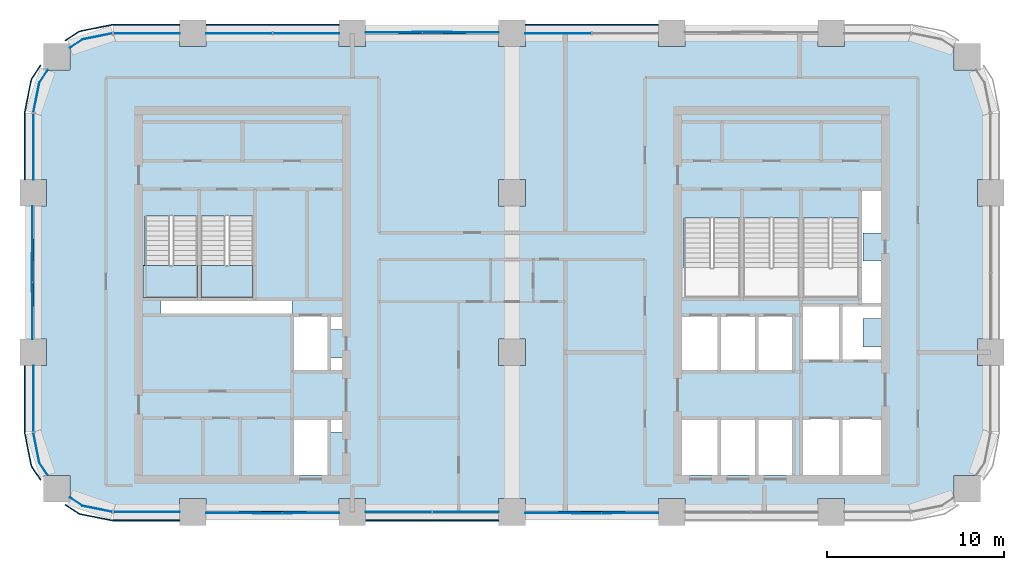
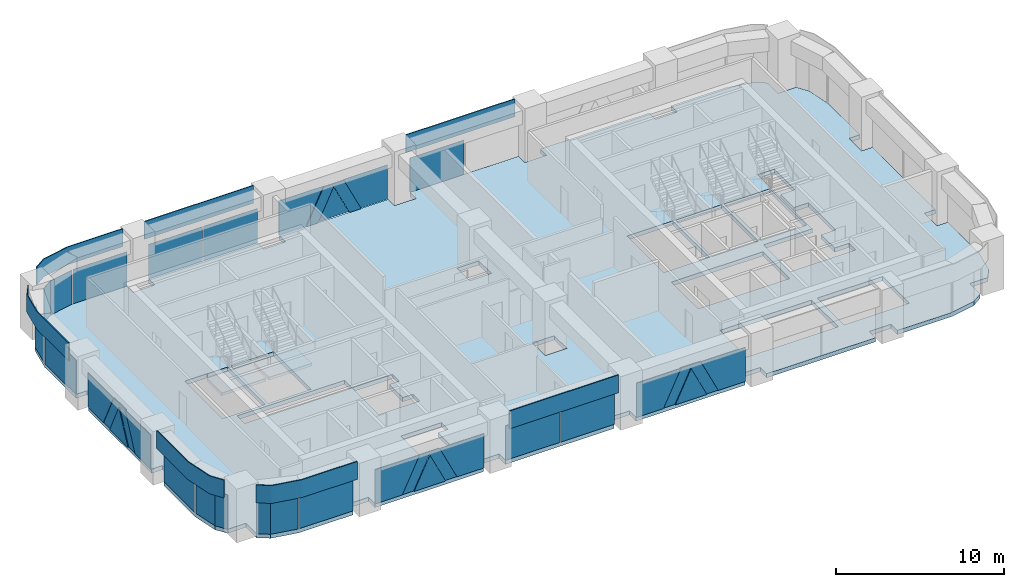
# One storey, part 6 of 18: 36 plates, 3 slabs, 13 elements without a shape of their own.
"""IFC4 building model written with IfcOpenShell, lengths in metres."""

from ifc_helpers import new_model, si_unit, direction, frame, origin, origin_2d, place, context, subcontext, project, spatial, polyline, rectangle, outline, extrude, material, layer, layer_set, type_object, element, aggregate, save


model = new_model("IFC4")

# Units and contexts
model_context = context("Model", 3, precision=1e-05, world=origin(), true_north=direction((0.0, 1.0)))
body_context = subcontext(model_context, "Body", "Model", "MODEL_VIEW")
ifc_project = project(units=[si_unit("LENGTHUNIT", "METRE"), si_unit("AREAUNIT", "SQUARE_METRE"), si_unit("VOLUMEUNIT", "CUBIC_METRE"), si_unit("PLANEANGLEUNIT", "RADIAN"), si_unit("MASSUNIT", "GRAM", prefix="KILO")], contexts=[model_context])

# Site, building, storey
site_placement = place(None, origin())
site = spatial("IfcSite", under=ifc_project, at=site_placement, CompositionType="ELEMENT")
building_placement = place(site_placement, origin())
building = spatial("IfcBuilding", under=site, at=building_placement, Name="Tessera Arch", CompositionType="ELEMENT")
storey_placement = place(building_placement, frame((0.0, 0.0, 154.39990234375)))
storey = spatial("IfcBuildingStorey", under=building, at=storey_placement, Name="L36", CompositionType="ELEMENT", Elevation=154.39990234375)

# Curtain wall, plate
ifc_material_1 = material(Name="CW1 curtain wall")
curtain_wall_type_1 = type_object("IfcCurtainWallType", Name="CW1 curtain wall", PredefinedType="NOTDEFINED", material=ifc_material_1)
curtain_wall_1_placement = place(storey_placement, origin())
curtain_wall_1 = element("IfcCurtainWall", 1, at=curtain_wall_1_placement, inside=storey, type_object=curtain_wall_type_1, Name="CW1 curtain wall N54.0/2 L36", PredefinedType="NOTDEFINED")
ifc_material_2 = material(Name="Clear low-e glass", Category="glass")
ifc_material_3 = material(Name="Clear low-e glass", Category="glass")
ifc_layer_1 = layer(ifc_material_3, 0.028076171875)
ifc_layer_set_1 = layer_set([ifc_layer_1], Name="CW1 glass panel")
plate_type_1 = type_object("IfcPlateType", Name="CW1 glass panel", PredefinedType="CURTAIN_PANEL", material=ifc_layer_set_1)
plate_1_placement = place(storey_placement, frame((29.610107421875, 54.0, 0.0), z_axis=(0.0, 0.0, 1.0), x_axis=(-1.0, 0.0, 0.0)))
plate_1 = element("IfcPlate", 2, at=plate_1_placement, type_object=plate_type_1, material=ifc_material_2, Name="CW1 glass panel N54.0/2 1.2.1", PredefinedType="CURTAIN_PANEL", context=body_context, shape_type="SweptSolid", body=[
    extrude(rectangle(XDim=3.719970703125, YDim=0.028076171875, at=origin_2d()), origin(), (0.0, 0.0, 1.0), 2.5),
])

# Curtain wall, plates
curtain_wall_2_placement = place(storey_placement, origin())
curtain_wall_2 = element("IfcCurtainWall", 3, at=curtain_wall_2_placement, inside=storey, type_object=curtain_wall_type_1, Name="CW1 curtain wall N54.0/4 L36", PredefinedType="NOTDEFINED")
plate_2_placement = place(storey_placement, frame((15.389892578125, 54.0, 0.0), z_axis=(0.0, 0.0, 1.0), x_axis=(-1.0, 0.0, 0.0)))
plate_2 = element("IfcPlate", 4, at=plate_2_placement, type_object=plate_type_1, material=ifc_material_2, Name="CW1 glass panel N54.0/4 1.1.1", PredefinedType="CURTAIN_PANEL", context=body_context, shape_type="SweptSolid", body=[
    extrude(rectangle(XDim=3.719970703125, YDim=0.028076171875, at=origin_2d()), origin(), (0.0, 0.0, 1.0), 2.5),
])
plate_3_placement = place(storey_placement, frame((11.610107421875, 54.0, 0.0), z_axis=(0.0, 0.0, 1.0), x_axis=(-1.0, 0.0, 0.0)))
plate_3 = element("IfcPlate", 5, at=plate_3_placement, type_object=plate_type_1, material=ifc_material_2, Name="CW1 glass panel N54.0/4 1.2.1", PredefinedType="CURTAIN_PANEL", context=body_context, shape_type="SweptSolid", body=[
    extrude(rectangle(XDim=3.719970703125, YDim=0.028076171875, at=origin_2d()), origin(), (0.0, 0.0, 1.0), 2.5),
])

curtain_wall_3_placement = place(storey_placement, origin())
curtain_wall_3 = element("IfcCurtainWall", 6, at=curtain_wall_3_placement, inside=storey, type_object=curtain_wall_type_1, Name="CW1 curtain wall S27.0/2 L36", PredefinedType="NOTDEFINED")
plate_4_placement = place(storey_placement, frame((20.610107421875, 27.0, 0.0), z_axis=(0.0, 0.0, 1.0), x_axis=(1.0, 0.0, 0.0)))
plate_4 = element("IfcPlate", 7, at=plate_4_placement, type_object=plate_type_1, material=ifc_material_2, Name="CW1 glass panel S27.0/2 1.1.1", PredefinedType="CURTAIN_PANEL", context=body_context, shape_type="SweptSolid", body=[
    extrude(rectangle(XDim=3.719970703125, YDim=0.028076171875, at=origin_2d()), origin(), (0.0, 0.0, 1.0), 2.5),
])
plate_5_placement = place(storey_placement, frame((24.389892578125, 27.0, 0.0), z_axis=(0.0, 0.0, 1.0), x_axis=(1.0, 0.0, 0.0)))
plate_5 = element("IfcPlate", 8, at=plate_5_placement, type_object=plate_type_1, material=ifc_material_2, Name="CW1 glass panel S27.0/2 1.2.1", PredefinedType="CURTAIN_PANEL", context=body_context, shape_type="SweptSolid", body=[
    extrude(rectangle(XDim=3.719970703125, YDim=0.028076171875, at=origin_2d()), origin(), (0.0, 0.0, 1.0), 2.5),
])

# Plate
ifc_material_4 = material(Name="Pale anodised aluminium panel", Category="aluminium")
ifc_layer_2 = layer(ifc_material_4, 0.06005859375)
ifc_layer_set_2 = layer_set([ifc_layer_2], Name="CW1 spandrel panel")
plate_type_2 = type_object("IfcPlateType", Name="CW1 spandrel panel", PredefinedType="CURTAIN_PANEL", material=ifc_layer_set_2)
plate_6_placement = place(storey_placement, frame((31.5, 54.47998046875, 2.60009765625), z_axis=(0.0, 0.0, 1.0), x_axis=(-1.0, 0.0, 0.0)))
plate_6 = element("IfcPlate", 9, at=plate_6_placement, type_object=plate_type_2, Name="CW1 spandrel panel N54.0/2", PredefinedType="CURTAIN_PANEL", context=body_context, shape_type="SweptSolid", body=[
    extrude(rectangle(XDim=7.5, YDim=0.06005859375, at=origin_2d()), origin(), (0.0, 0.0, 1.0), 1.300048828125),
])

aggregate(curtain_wall_1, [plate_1, plate_6])

plate_7_placement = place(storey_placement, frame((13.5, 54.47998046875, 2.60009765625), z_axis=(0.0, 0.0, 1.0), x_axis=(-1.0, 0.0, 0.0)))
plate_7 = element("IfcPlate", 10, at=plate_7_placement, type_object=plate_type_2, Name="CW1 spandrel panel N54.0/4", PredefinedType="CURTAIN_PANEL", context=body_context, shape_type="SweptSolid", body=[
    extrude(rectangle(XDim=7.5, YDim=0.06005859375, at=origin_2d()), origin(), (0.0, 0.0, 1.0), 1.300048828125),
])

aggregate(curtain_wall_2, [plate_2, plate_3, plate_7])

plate_8_placement = place(storey_placement, frame((22.5, 26.52001953125, 2.60009765625), z_axis=(0.0, 0.0, 1.0), x_axis=(1.0, 0.0, 0.0)))
plate_8 = element("IfcPlate", 11, at=plate_8_placement, type_object=plate_type_2, Name="CW1 spandrel panel S27.0/2", PredefinedType="CURTAIN_PANEL", context=body_context, shape_type="SweptSolid", body=[
    extrude(rectangle(XDim=7.5, YDim=0.06005859375, at=origin_2d()), origin(), (0.0, 0.0, 1.0), 1.300048828125),
])

aggregate(curtain_wall_3, [plate_4, plate_5, plate_8])

# Curtain wall, plates
ifc_material_5 = material(Name="CW2 curtain wall")
curtain_wall_type_2 = type_object("IfcCurtainWallType", Name="CW2 curtain wall", PredefinedType="NOTDEFINED", material=ifc_material_5)
curtain_wall_4_placement = place(storey_placement, origin())
curtain_wall_4 = element("IfcCurtainWall", 12, at=curtain_wall_4_placement, inside=storey, type_object=curtain_wall_type_2, Name="CW2 curtain wall N54.0/5 L36", PredefinedType="NOTDEFINED")
ifc_material_6 = material(Name="Clear low-e glass", Category="glass")
ifc_layer_3 = layer(ifc_material_6, 0.028076171875)
ifc_layer_set_3 = layer_set([ifc_layer_3], Name="CW2 glass panel")
plate_type_3 = type_object("IfcPlateType", Name="CW2 glass panel", PredefinedType="CURTAIN_PANEL", material=ifc_layer_set_3)
plate_9_placement = place(storey_placement, frame((6.39501953125, 54.0, 0.0), z_axis=(0.0, 0.0, 1.0), x_axis=(-1.0, 0.0, 0.0)))
plate_9 = element("IfcPlate", 13, at=plate_9_placement, type_object=plate_type_3, material=ifc_material_2, Name="CW2 glass panel N54.0/5 1.1", PredefinedType="CURTAIN_PANEL", context=body_context, shape_type="SweptSolid", body=[
    extrude(rectangle(XDim=3.7099609375, YDim=0.028076171875, at=origin_2d()), origin(), (0.0, 0.0, 1.0), 2.5),
])
plate_10_placement = place(storey_placement, origin())
plate_10 = element("IfcPlate", 14, at=plate_10_placement, type_object=plate_type_3, material=ifc_material_2, Name="CW2 curved glass panel N54.0/5 2.1", PredefinedType="CURTAIN_PANEL", context=body_context, shape_type="SweptSolid", body=[
    extrude(outline(polyline([(2.783447265625, 53.644287109375), (4.46337890625, 53.978515625), (4.4580078125, 54.005859375), (2.7724609375, 53.670654296875), (2.060302734375, 53.19482421875), (2.07568359375, 53.17138671875), (2.783447265625, 53.644287109375)])), origin(), (0.0, 0.0, 1.0), 2.5),
])

curtain_wall_5_placement = place(storey_placement, origin())
curtain_wall_5 = element("IfcCurtainWall", 15, at=curtain_wall_5_placement, inside=storey, type_object=curtain_wall_type_2, Name="CW2 curtain wall W0.27/0 L36", PredefinedType="NOTDEFINED")
plate_11_placement = place(storey_placement, frame((0.0, 47.60498046875, 0.0), z_axis=(0.0, 0.0, 1.0), x_axis=(0.0, -1.0, 0.0)))
plate_11 = element("IfcPlate", 16, at=plate_11_placement, type_object=plate_type_3, material=ifc_material_2, Name="CW2 glass panel W0.27/0 1.1", PredefinedType="CURTAIN_PANEL", context=body_context, shape_type="SweptSolid", body=[
    extrude(rectangle(XDim=3.7099609375, YDim=0.028076171875, at=origin_2d()), origin(), (0.0, 0.0, 1.0), 2.5),
])
plate_12_placement = place(storey_placement, origin())
plate_12 = element("IfcPlate", 17, at=plate_12_placement, type_object=plate_type_3, material=ifc_material_2, Name="CW2 curved glass panel W0.27/0 2.1", PredefinedType="CURTAIN_PANEL", context=body_context, shape_type="SweptSolid", body=[
    extrude(outline(polyline([(0.355712890625, 51.216552734375), (0.82861328125, 51.92431640625), (0.80517578125, 51.939697265625), (0.329345703125, 51.2275390625), (-0.005859375, 49.5419921875), (0.021484375, 49.53662109375), (0.355712890625, 51.216552734375)])), origin(), (0.0, 0.0, 1.0), 2.5),
])

curtain_wall_6_placement = place(storey_placement, origin())
curtain_wall_6 = element("IfcCurtainWall", 18, at=curtain_wall_6_placement, inside=storey, type_object=curtain_wall_type_2, Name="CW2 curtain wall W0.27/2 L36", PredefinedType="NOTDEFINED")
plate_13_placement = place(storey_placement, frame((0.0, 33.39501953125, 0.0), z_axis=(0.0, 0.0, 1.0), x_axis=(0.0, -1.0, 0.0)))
plate_13 = element("IfcPlate", 19, at=plate_13_placement, type_object=plate_type_3, material=ifc_material_2, Name="CW2 glass panel W0.27/2 1.1", PredefinedType="CURTAIN_PANEL", context=body_context, shape_type="SweptSolid", body=[
    extrude(rectangle(XDim=3.7099609375, YDim=0.028076171875, at=origin_2d()), origin(), (0.0, 0.0, 1.0), 2.5),
])
plate_14_placement = place(storey_placement, origin())
plate_14 = element("IfcPlate", 20, at=plate_14_placement, type_object=plate_type_3, material=ifc_material_2, Name="CW2 curved glass panel W0.27/2 2.1", PredefinedType="CURTAIN_PANEL", context=body_context, shape_type="SweptSolid", body=[
    extrude(outline(polyline([(0.355712890625, 29.783447265625), (0.021484375, 31.46337890625), (-0.005859375, 31.4580078125), (0.329345703125, 29.7724609375), (0.80517578125, 29.060302734375), (0.82861328125, 29.07568359375), (0.355712890625, 29.783447265625)])), origin(), (0.0, 0.0, 1.0), 2.5),
])

curtain_wall_7_placement = place(storey_placement, origin())
curtain_wall_7 = element("IfcCurtainWall", 21, at=curtain_wall_7_placement, inside=storey, type_object=curtain_wall_type_2, Name="CW2 curtain wall S27.0/0 L36", PredefinedType="NOTDEFINED")
plate_15_placement = place(storey_placement, frame((6.39501953125, 27.0, 0.0), z_axis=(0.0, 0.0, 1.0), x_axis=(1.0, 0.0, 0.0)))
plate_15 = element("IfcPlate", 22, at=plate_15_placement, type_object=plate_type_3, material=ifc_material_2, Name="CW2 glass panel S27.0/0 1.1", PredefinedType="CURTAIN_PANEL", context=body_context, shape_type="SweptSolid", body=[
    extrude(rectangle(XDim=3.7099609375, YDim=0.028076171875, at=origin_2d()), origin(), (0.0, 0.0, 1.0), 2.5),
])
plate_16_placement = place(storey_placement, origin())
plate_16 = element("IfcPlate", 23, at=plate_16_placement, type_object=plate_type_3, material=ifc_material_2, Name="CW2 curved glass panel S27.0/0 2.1", PredefinedType="CURTAIN_PANEL", context=body_context, shape_type="SweptSolid", body=[
    extrude(outline(polyline([(2.783447265625, 27.355712890625), (2.07568359375, 27.82861328125), (2.060302734375, 27.80517578125), (2.7724609375, 27.329345703125), (4.4580078125, 26.994140625), (4.46337890625, 27.021484375), (2.783447265625, 27.355712890625)])), origin(), (0.0, 0.0, 1.0), 2.5),
])

# Plate
ifc_material_7 = material(Name="Pale anodised aluminium panel", Category="aluminium")
ifc_layer_4 = layer(ifc_material_7, 0.06005859375)
ifc_layer_set_4 = layer_set([ifc_layer_4], Name="CW2 spandrel panel")
plate_type_4 = type_object("IfcPlateType", Name="CW2 spandrel panel", PredefinedType="CURTAIN_PANEL", material=ifc_layer_set_4)
plate_17_placement = place(storey_placement, frame((0.0, 0.0, 2.60009765625)))
plate_17 = element("IfcPlate", 24, at=plate_17_placement, type_object=plate_type_4, Name="CW2 spandrel panel N54.0/5", PredefinedType="CURTAIN_PANEL", context=body_context, shape_type="SweptSolid", body=[
    extrude(outline(polyline([(4.500732421875, 54.449951171875), (8.25, 54.449951171875), (8.25, 54.510009765625), (4.499267578125, 54.510009765625), (4.449951171875, 54.507568359375), (4.401123046875, 54.500244140625), (2.677734375, 54.157470703125), (2.6298828125, 54.1455078125), (2.582763671875, 54.128662109375), (2.537353515625, 54.107421875), (2.4951171875, 54.08203125), (1.78466796875, 53.607177734375), (1.81787109375, 53.55712890625), (2.52734375, 54.03125), (2.565673828125, 54.054443359375), (2.605712890625, 54.0732421875), (2.647216796875, 54.088134765625), (2.69091796875, 54.09912109375), (4.411376953125, 54.441162109375), (4.455810546875, 54.44775390625), (4.500732421875, 54.449951171875)])), origin(), (0.0, 0.0, 1.0), 1.300048828125),
])

aggregate(curtain_wall_4, [plate_9, plate_10, plate_17])

plate_18_placement = place(storey_placement, frame((0.0, 0.0, 2.60009765625)))
plate_18 = element("IfcPlate", 25, at=plate_18_placement, type_object=plate_type_4, Name="CW2 spandrel panel W0.27/0", PredefinedType="CURTAIN_PANEL", context=body_context, shape_type="SweptSolid", body=[
    extrude(outline(polyline([(-0.03125, 51.47265625), (0.44287109375, 52.18212890625), (0.392822265625, 52.21533203125), (-0.08203125, 51.5048828125), (-0.107421875, 51.462646484375), (-0.128662109375, 51.417236328125), (-0.1455078125, 51.3701171875), (-0.157470703125, 51.322265625), (-0.500244140625, 49.598876953125), (-0.507568359375, 49.550048828125), (-0.510009765625, 49.500732421875), (-0.510009765625, 45.75), (-0.449951171875, 45.75), (-0.449951171875, 49.499267578125), (-0.44775390625, 49.544189453125), (-0.441162109375, 49.588623046875), (-0.09912109375, 51.30908203125), (-0.088134765625, 51.352783203125), (-0.0732421875, 51.394287109375), (-0.054443359375, 51.434326171875), (-0.03125, 51.47265625)])), origin(), (0.0, 0.0, 1.0), 1.300048828125),
])

aggregate(curtain_wall_5, [plate_11, plate_12, plate_18])

plate_19_placement = place(storey_placement, frame((0.0, 0.0, 2.60009765625)))
plate_19 = element("IfcPlate", 26, at=plate_19_placement, type_object=plate_type_4, Name="CW2 spandrel panel W0.27/2", PredefinedType="CURTAIN_PANEL", context=body_context, shape_type="SweptSolid", body=[
    extrude(outline(polyline([(-0.449951171875, 31.500732421875), (-0.449951171875, 35.25), (-0.510009765625, 35.25), (-0.510009765625, 31.499267578125), (-0.507568359375, 31.449951171875), (-0.500244140625, 31.401123046875), (-0.157470703125, 29.677734375), (-0.1455078125, 29.6298828125), (-0.128662109375, 29.582763671875), (-0.107421875, 29.537353515625), (-0.08203125, 29.4951171875), (0.392822265625, 28.78466796875), (0.44287109375, 28.81787109375), (-0.03125, 29.52734375), (-0.054443359375, 29.565673828125), (-0.0732421875, 29.605712890625), (-0.088134765625, 29.647216796875), (-0.09912109375, 29.69091796875), (-0.441162109375, 31.411376953125), (-0.44775390625, 31.455810546875), (-0.449951171875, 31.500732421875)])), origin(), (0.0, 0.0, 1.0), 1.300048828125),
])

aggregate(curtain_wall_6, [plate_13, plate_14, plate_19])

plate_20_placement = place(storey_placement, frame((0.0, 0.0, 2.60009765625)))
plate_20 = element("IfcPlate", 27, at=plate_20_placement, type_object=plate_type_4, Name="CW2 spandrel panel S27.0/0", PredefinedType="CURTAIN_PANEL", context=body_context, shape_type="SweptSolid", body=[
    extrude(outline(polyline([(2.52734375, 26.96875), (1.81787109375, 27.44287109375), (1.78466796875, 27.392822265625), (2.4951171875, 26.91796875), (2.537353515625, 26.892578125), (2.582763671875, 26.871337890625), (2.6298828125, 26.8544921875), (2.677734375, 26.842529296875), (4.401123046875, 26.499755859375), (4.449951171875, 26.492431640625), (4.499267578125, 26.489990234375), (8.25, 26.489990234375), (8.25, 26.550048828125), (4.500732421875, 26.550048828125), (4.455810546875, 26.55224609375), (4.411376953125, 26.558837890625), (2.69091796875, 26.90087890625), (2.647216796875, 26.911865234375), (2.605712890625, 26.9267578125), (2.565673828125, 26.945556640625), (2.52734375, 26.96875)])), origin(), (0.0, 0.0, 1.0), 1.300048828125),
])

aggregate(curtain_wall_7, [plate_15, plate_16, plate_20])

# Curtain wall, plate
ifc_material_8 = material(Name="CW3 curtain wall")
curtain_wall_type_3 = type_object("IfcCurtainWallType", Name="CW3 curtain wall", PredefinedType="NOTDEFINED", material=ifc_material_8)
curtain_wall_8_placement = place(storey_placement, origin())
curtain_wall_8 = element("IfcCurtainWall", 28, at=curtain_wall_8_placement, inside=storey, type_object=curtain_wall_type_3, Name="CW3 curtain wall N54.0/3 L36", PredefinedType="NOTDEFINED")
ifc_material_9 = material(Name="Pale anodised aluminium panel", Category="aluminium")
ifc_layer_5 = layer(ifc_material_9, 0.06005859375)
ifc_layer_set_5 = layer_set([ifc_layer_5], Name="CW3 diagonal panel")
plate_type_5 = type_object("IfcPlateType", Name="CW3 diagonal panel", PredefinedType="CURTAIN_PANEL", material=ifc_layer_set_5)
plate_21_placement = place(storey_placement, frame((21.811279296875, 54.030029296875, 2.5), z_axis=(0.0, 1.0, 0.0), x_axis=(1.0, 0.0, 0.0)))
plate_21 = element("IfcPlate", 29, at=plate_21_placement, type_object=plate_type_5, Name="CW3 diagonal panel N54.0/3 1", PredefinedType="CURTAIN_PANEL", context=body_context, shape_type="SweptSolid", body=[
    extrude(outline(polyline([(0.0, 0.0), (1.37744140625, 0.0), (2.579345703125, 2.5), (1.77880859375, 2.5), (0.688720703125, 0.232421875), (-0.4013671875, 2.5), (-1.201904296875, 2.5), (0.0, 0.0)])), origin(), (0.0, 0.0, -1.0), 0.06005859375),
])

curtain_wall_9_placement = place(storey_placement, origin())
curtain_wall_9 = element("IfcCurtainWall", 30, at=curtain_wall_9_placement, inside=storey, type_object=curtain_wall_type_3, Name="CW3 curtain wall W0.27/1 L36", PredefinedType="NOTDEFINED")
plate_22_placement = place(storey_placement, frame((-0.030029296875, 39.811279296875, 2.5), z_axis=(-1.0, 0.0, 0.0), x_axis=(0.0, 1.0, 0.0)))
plate_22 = element("IfcPlate", 31, at=plate_22_placement, type_object=plate_type_5, Name="CW3 diagonal panel W0.27/1 1", PredefinedType="CURTAIN_PANEL", context=body_context, shape_type="SweptSolid", body=[
    extrude(outline(polyline([(0.0, 0.0), (1.37744140625, 0.0), (2.579345703125, 2.5), (1.77880859375, 2.5), (0.688720703125, 0.232421875), (-0.4013671875, 2.5), (-1.201904296875, 2.5), (0.0, 0.0)])), origin(), (0.0, 0.0, -1.0), 0.06005859375),
])

curtain_wall_10_placement = place(storey_placement, origin())
curtain_wall_10 = element("IfcCurtainWall", 32, at=curtain_wall_10_placement, inside=storey, type_object=curtain_wall_type_3, Name="CW3 curtain wall S27.0/1 L36", PredefinedType="NOTDEFINED")
plate_23_placement = place(storey_placement, frame((14.188720703125, 26.969970703125, 2.5), z_axis=(0.0, -1.0, 0.0), x_axis=(-1.0, 0.0, 0.0)))
plate_23 = element("IfcPlate", 33, at=plate_23_placement, type_object=plate_type_5, Name="CW3 diagonal panel S27.0/1 1", PredefinedType="CURTAIN_PANEL", context=body_context, shape_type="SweptSolid", body=[
    extrude(outline(polyline([(0.0, 0.0), (1.37744140625, 0.0), (2.579345703125, 2.5), (1.77880859375, 2.5), (0.688720703125, 0.232421875), (-0.4013671875, 2.5), (-1.201904296875, 2.5), (0.0, 0.0)])), origin(), (0.0, 0.0, -1.0), 0.06005859375),
])

curtain_wall_11_placement = place(storey_placement, origin())
curtain_wall_11 = element("IfcCurtainWall", 34, at=curtain_wall_11_placement, inside=storey, type_object=curtain_wall_type_3, Name="CW3 curtain wall S27.0/3 L36", PredefinedType="NOTDEFINED")
plate_24_placement = place(storey_placement, frame((32.188720703125, 26.969970703125, 2.5), z_axis=(0.0, -1.0, 0.0), x_axis=(-1.0, 0.0, 0.0)))
plate_24 = element("IfcPlate", 35, at=plate_24_placement, type_object=plate_type_5, Name="CW3 diagonal panel S27.0/3 1", PredefinedType="CURTAIN_PANEL", context=body_context, shape_type="SweptSolid", body=[
    extrude(outline(polyline([(0.0, 0.0), (1.37744140625, 0.0), (2.579345703125, 2.5), (1.77880859375, 2.5), (0.688720703125, 0.232421875), (-0.4013671875, 2.5), (-1.201904296875, 2.5), (0.0, 0.0)])), origin(), (0.0, 0.0, -1.0), 0.06005859375),
])

# Plate
ifc_material_10 = material(Name="Clear low-e glass", Category="glass")
ifc_layer_6 = layer(ifc_material_10, 0.028076171875)
ifc_layer_set_6 = layer_set([ifc_layer_6], Name="CW3 glass panel")
plate_type_6 = type_object("IfcPlateType", Name="CW3 glass panel", PredefinedType="CURTAIN_PANEL", material=ifc_layer_set_6)
plate_25_placement = place(storey_placement, frame((26.25, 54.05810546875, 0.0), z_axis=(0.0, 1.0, 0.0), x_axis=(-1.0, 0.0, 0.0)))
plate_25 = element("IfcPlate", 36, at=plate_25_placement, type_object=plate_type_6, material=ifc_material_2, Name="CW3 triangulated glass panel N54.0/3 1", PredefinedType="CURTAIN_PANEL", context=body_context, shape_type="SweptSolid", body=[
    extrude(outline(polyline([(0.0, 0.0), (1.859375, 0.0), (3.061279296875, 2.5), (0.0, 2.5), (0.0, 0.0)])), origin(), (0.0, 0.0, -1.0), 0.028076171875),
])

plate_26_placement = place(storey_placement, frame((23.590087890625, 54.0859375, 0.0), z_axis=(0.0, 1.0, 0.0), x_axis=(-1.0, 0.0, 0.0)))
plate_26 = element("IfcPlate", 37, at=plate_26_placement, type_object=plate_type_6, material=ifc_material_2, Name="CW3 triangulated glass panel N54.0/3 2", PredefinedType="CURTAIN_PANEL", context=body_context, shape_type="SweptSolid", body=[
    extrude(outline(polyline([(0.0, 0.0), (2.18017578125, 0.0), (1.090087890625, 2.267578125), (0.0, 0.0)])), origin(), (0.0, 0.0, -1.0), 0.028076171875),
])

plate_27_placement = place(storey_placement, frame((18.75, 54.05810546875, 2.5), z_axis=(0.0, 1.0, 0.0), x_axis=(1.0, 0.0, 0.0)))
plate_27 = element("IfcPlate", 38, at=plate_27_placement, type_object=plate_type_6, material=ifc_material_2, Name="CW3 triangulated glass panel N54.0/3 3", PredefinedType="CURTAIN_PANEL", context=body_context, shape_type="SweptSolid", body=[
    extrude(outline(polyline([(0.0, 0.0), (3.061279296875, 0.0), (1.859375, 2.5), (0.0, 2.5), (0.0, 0.0)])), origin(), (0.0, 0.0, -1.0), 0.028076171875),
])

aggregate(curtain_wall_8, [plate_25, plate_26, plate_27, plate_21])

plate_28_placement = place(storey_placement, frame((-0.05810546875, 44.25, 0.0), z_axis=(-1.0, 0.0, 0.0), x_axis=(0.0, -1.0, 0.0)))
plate_28 = element("IfcPlate", 39, at=plate_28_placement, type_object=plate_type_6, material=ifc_material_2, Name="CW3 triangulated glass panel W0.27/1 1", PredefinedType="CURTAIN_PANEL", context=body_context, shape_type="SweptSolid", body=[
    extrude(outline(polyline([(0.0, 0.0), (1.859375, 0.0), (3.061279296875, 2.5), (0.0, 2.5), (0.0, 0.0)])), origin(), (0.0, 0.0, -1.0), 0.028076171875),
])

plate_29_placement = place(storey_placement, frame((-0.0859375, 41.590087890625, 0.0), z_axis=(-1.0, 0.0, 0.0), x_axis=(0.0, -1.0, 0.0)))
plate_29 = element("IfcPlate", 40, at=plate_29_placement, type_object=plate_type_6, material=ifc_material_2, Name="CW3 triangulated glass panel W0.27/1 2", PredefinedType="CURTAIN_PANEL", context=body_context, shape_type="SweptSolid", body=[
    extrude(outline(polyline([(0.0, 0.0), (2.18017578125, 0.0), (1.090087890625, 2.267578125), (0.0, 0.0)])), origin(), (0.0, 0.0, -1.0), 0.028076171875),
])

plate_30_placement = place(storey_placement, frame((-0.05810546875, 36.75, 2.5), z_axis=(-1.0, 0.0, 0.0), x_axis=(0.0, 1.0, 0.0)))
plate_30 = element("IfcPlate", 41, at=plate_30_placement, type_object=plate_type_6, material=ifc_material_2, Name="CW3 triangulated glass panel W0.27/1 3", PredefinedType="CURTAIN_PANEL", context=body_context, shape_type="SweptSolid", body=[
    extrude(outline(polyline([(0.0, 0.0), (3.061279296875, 0.0), (1.859375, 2.5), (0.0, 2.5), (0.0, 0.0)])), origin(), (0.0, 0.0, -1.0), 0.028076171875),
])

aggregate(curtain_wall_9, [plate_28, plate_29, plate_30, plate_22])

plate_31_placement = place(storey_placement, frame((9.75, 26.94189453125, 0.0), z_axis=(0.0, -1.0, 0.0), x_axis=(1.0, 0.0, 0.0)))
plate_31 = element("IfcPlate", 42, at=plate_31_placement, type_object=plate_type_6, material=ifc_material_2, Name="CW3 triangulated glass panel S27.0/1 1", PredefinedType="CURTAIN_PANEL", context=body_context, shape_type="SweptSolid", body=[
    extrude(outline(polyline([(0.0, 0.0), (1.859375, 0.0), (3.061279296875, 2.5), (0.0, 2.5), (0.0, 0.0)])), origin(), (0.0, 0.0, -1.0), 0.028076171875),
])

plate_32_placement = place(storey_placement, frame((12.409912109375, 26.9140625, 0.0), z_axis=(0.0, -1.0, 0.0), x_axis=(1.0, 0.0, 0.0)))
plate_32 = element("IfcPlate", 43, at=plate_32_placement, type_object=plate_type_6, material=ifc_material_2, Name="CW3 triangulated glass panel S27.0/1 2", PredefinedType="CURTAIN_PANEL", context=body_context, shape_type="SweptSolid", body=[
    extrude(outline(polyline([(0.0, 0.0), (2.18017578125, 0.0), (1.090087890625, 2.267578125), (0.0, 0.0)])), origin(), (0.0, 0.0, -1.0), 0.028076171875),
])

plate_33_placement = place(storey_placement, frame((17.25, 26.94189453125, 2.5), z_axis=(0.0, -1.0, 0.0), x_axis=(-1.0, 0.0, 0.0)))
plate_33 = element("IfcPlate", 44, at=plate_33_placement, type_object=plate_type_6, material=ifc_material_2, Name="CW3 triangulated glass panel S27.0/1 3", PredefinedType="CURTAIN_PANEL", context=body_context, shape_type="SweptSolid", body=[
    extrude(outline(polyline([(0.0, 0.0), (3.061279296875, 0.0), (1.859375, 2.5), (0.0, 2.5), (0.0, 0.0)])), origin(), (0.0, 0.0, -1.0), 0.028076171875),
])

aggregate(curtain_wall_10, [plate_31, plate_32, plate_33, plate_23])

plate_34_placement = place(storey_placement, frame((27.75, 26.94189453125, 0.0), z_axis=(0.0, -1.0, 0.0), x_axis=(1.0, 0.0, 0.0)))
plate_34 = element("IfcPlate", 45, at=plate_34_placement, type_object=plate_type_6, material=ifc_material_2, Name="CW3 triangulated glass panel S27.0/3 1", PredefinedType="CURTAIN_PANEL", context=body_context, shape_type="SweptSolid", body=[
    extrude(outline(polyline([(0.0, 0.0), (1.859375, 0.0), (3.061279296875, 2.5), (0.0, 2.5), (0.0, 0.0)])), origin(), (0.0, 0.0, -1.0), 0.028076171875),
])

plate_35_placement = place(storey_placement, frame((30.409912109375, 26.9140625, 0.0), z_axis=(0.0, -1.0, 0.0), x_axis=(1.0, 0.0, 0.0)))
plate_35 = element("IfcPlate", 46, at=plate_35_placement, type_object=plate_type_6, material=ifc_material_2, Name="CW3 triangulated glass panel S27.0/3 2", PredefinedType="CURTAIN_PANEL", context=body_context, shape_type="SweptSolid", body=[
    extrude(outline(polyline([(0.0, 0.0), (2.18017578125, 0.0), (1.090087890625, 2.267578125), (0.0, 0.0)])), origin(), (0.0, 0.0, -1.0), 0.028076171875),
])

plate_36_placement = place(storey_placement, frame((35.25, 26.94189453125, 2.5), z_axis=(0.0, -1.0, 0.0), x_axis=(-1.0, 0.0, 0.0)))
plate_36 = element("IfcPlate", 47, at=plate_36_placement, type_object=plate_type_6, material=ifc_material_2, Name="CW3 triangulated glass panel S27.0/3 3", PredefinedType="CURTAIN_PANEL", context=body_context, shape_type="SweptSolid", body=[
    extrude(outline(polyline([(0.0, 0.0), (3.061279296875, 0.0), (1.859375, 2.5), (0.0, 2.5), (0.0, 0.0)])), origin(), (0.0, 0.0, -1.0), 0.028076171875),
])

aggregate(curtain_wall_11, [plate_34, plate_35, plate_36, plate_24])

# Slab
ifc_material_11 = material(Name="Concrete C40/50", Category="concrete")
ifc_layer_7 = layer(ifc_material_11, 0.300048828125)
ifc_layer_set_7 = layer_set([ifc_layer_7], Name="Floor slab 300 Concrete C40/50")
slab_type_1 = type_object("IfcSlabType", Name="Floor slab 300 Concrete C40/50", PredefinedType="FLOOR", material=ifc_layer_set_7)
slab_1_placement = place(storey_placement, frame((0.0, 0.0, -0.2998046875)))
element("IfcSlab", 48, at=slab_1_placement, inside=storey, type_object=slab_type_1, Name="Floor slab L36 1", PredefinedType="FLOOR", context=body_context, shape_type="SweptSolid", body=[
    extrude(outline(polyline([(54.0, 31.5), (53.657470703125, 29.77783203125), (53.18310546875, 29.068115234375), (51.931884765625, 29.068115234375), (51.931884765625, 27.81689453125), (51.22216796875, 27.342529296875), (49.5, 27.0), (45.75, 27.0), (45.75, 27.75), (44.25, 27.75), (44.25, 27.0), (36.75, 27.0), (36.75, 27.75), (35.25, 27.75), (35.25, 27.0), (27.75, 27.0), (27.75, 27.75), (26.25, 27.75), (26.25, 27.0), (18.75, 27.0), (18.75, 27.75), (17.25, 27.75), (17.25, 27.0), (9.75, 27.0), (9.75, 27.75), (8.25, 27.75), (8.25, 27.0), (4.5, 27.0), (2.77783203125, 27.342529296875), (2.068115234375, 27.81689453125), (2.068115234375, 29.068115234375), (0.81689453125, 29.068115234375), (0.342529296875, 29.77783203125), (0.0, 31.5), (0.0, 35.25), (0.75, 35.25), (0.75, 36.75), (0.0, 36.75), (0.0, 44.25), (0.75, 44.25), (0.75, 45.75), (0.0, 45.75), (0.0, 49.5), (0.342529296875, 51.22216796875), (0.81689453125, 51.931884765625), (2.068115234375, 51.931884765625), (2.068115234375, 53.18310546875), (2.77783203125, 53.657470703125), (4.5, 54.0), (8.25, 54.0), (8.25, 53.25), (9.75, 53.25), (9.75, 54.0), (17.25, 54.0), (17.25, 53.25), (18.75, 53.25), (18.75, 54.0), (26.25, 54.0), (26.25, 53.25), (27.75, 53.25), (27.75, 54.0), (35.25, 54.0), (35.25, 53.25), (36.75, 53.25), (36.75, 54.0), (44.25, 54.0), (44.25, 53.25), (45.75, 53.25), (45.75, 54.0), (49.5, 54.0), (51.22216796875, 53.657470703125), (51.931884765625, 53.18310546875), (51.931884765625, 51.931884765625), (53.18310546875, 51.931884765625), (53.657470703125, 51.22216796875), (54.0, 49.5), (54.0, 45.75), (53.25, 45.75), (53.25, 44.25), (54.0, 44.25), (54.0, 36.75), (53.25, 36.75), (53.25, 35.25), (54.0, 35.25), (54.0, 31.5)]), holes=[polyline([(14.60009765625, 29.10009765625), (16.699951171875, 29.10009765625), (16.699951171875, 31.5), (17.39990234375, 31.5), (17.39990234375, 32.300048828125), (16.699951171875, 32.300048828125), (14.60009765625, 32.300048828125), (14.60009765625, 29.10009765625)]), polyline([(26.25, 36.75), (26.25, 35.25), (27.75, 35.25), (27.75, 36.75), (26.25, 36.75)]), polyline([(17.39990234375, 37.300048828125), (17.39990234375, 38.10009765625), (16.699951171875, 38.10009765625), (14.60498046875, 38.10009765625), (14.60498046875, 38.10498046875), (14.60009765625, 38.10498046875), (14.60009765625, 39.0), (7.199951171875, 39.0), (7.199951171875, 38.10009765625), (14.594970703125, 38.10009765625), (14.594970703125, 38.094970703125), (14.60009765625, 38.094970703125), (14.60009765625, 34.89990234375), (16.699951171875, 34.89990234375), (17.39990234375, 34.89990234375), (17.39990234375, 35.699951171875), (16.699951171875, 35.699951171875), (16.699951171875, 37.300048828125), (17.39990234375, 37.300048828125)]), polyline([(6.300048828125, 43.68994140625), (6.300048828125, 39.199951171875), (9.25, 39.199951171875), (9.25, 43.68994140625), (7.85009765625, 43.68994140625), (7.85009765625, 43.699951171875), (7.699951171875, 43.699951171875), (7.699951171875, 43.68994140625), (6.300048828125, 43.68994140625)]), polyline([(9.449951171875, 39.199951171875), (12.39990234375, 39.199951171875), (12.39990234375, 43.68994140625), (11.0, 43.68994140625), (11.0, 43.699951171875), (10.85009765625, 43.699951171875), (10.85009765625, 43.68994140625), (9.449951171875, 43.68994140625), (9.449951171875, 39.199951171875)]), polyline([(38.699951171875, 29.10009765625), (40.800048828125, 29.10009765625), (42.89990234375, 29.10009765625), (42.89990234375, 32.300048828125), (40.800048828125, 32.300048828125), (38.699951171875, 32.300048828125), (36.60009765625, 32.300048828125), (36.60009765625, 29.10009765625), (38.699951171875, 29.10009765625)]), polyline([(45.550048828125, 32.300048828125), (43.300048828125, 32.300048828125), (43.300048828125, 29.10009765625), (45.550048828125, 29.10009765625), (47.800048828125, 29.10009765625), (47.800048828125, 32.300048828125), (45.550048828125, 32.300048828125)]), polyline([(40.800048828125, 34.89990234375), (42.89990234375, 34.89990234375), (42.89990234375, 38.10009765625), (40.800048828125, 38.10009765625), (38.699951171875, 38.10009765625), (36.60009765625, 38.10009765625), (36.60009765625, 34.89990234375), (38.699951171875, 34.89990234375), (40.800048828125, 34.89990234375)]), polyline([(47.800048828125, 42.75), (47.800048828125, 45.199951171875), (46.64990234375, 45.199951171875), (46.64990234375, 38.699951171875), (45.550048828125, 38.699951171875), (43.300048828125, 38.699951171875), (43.300048828125, 35.5), (45.550048828125, 35.5), (47.800048828125, 35.5), (47.800048828125, 36.300048828125), (46.800048828125, 36.300048828125), (46.800048828125, 37.89990234375), (47.800048828125, 37.89990234375), (47.800048828125, 38.699951171875), (47.800048828125, 41.14990234375), (46.800048828125, 41.14990234375), (46.800048828125, 42.75), (47.800048828125, 42.75)]), polyline([(36.699951171875, 39.199951171875), (39.85009765625, 39.199951171875), (39.85009765625, 43.570068359375), (38.330078125, 43.570068359375), (38.330078125, 43.580078125), (38.219970703125, 43.580078125), (38.219970703125, 43.570068359375), (36.699951171875, 43.570068359375), (36.699951171875, 39.199951171875)]), polyline([(40.050048828125, 39.199951171875), (43.199951171875, 39.199951171875), (43.199951171875, 43.570068359375), (41.679931640625, 43.570068359375), (41.679931640625, 43.580078125), (41.570068359375, 43.580078125), (41.570068359375, 43.570068359375), (40.050048828125, 43.570068359375), (40.050048828125, 39.199951171875)]), polyline([(43.39990234375, 43.570068359375), (43.39990234375, 39.199951171875), (46.550048828125, 39.199951171875), (46.550048828125, 43.570068359375), (45.030029296875, 43.570068359375), (45.030029296875, 43.580078125), (44.919921875, 43.580078125), (44.919921875, 43.570068359375), (43.39990234375, 43.570068359375)]), polyline([(26.25, 45.75), (26.25, 44.25), (27.75, 44.25), (27.75, 45.75), (26.25, 45.75)])]), origin(), (0.0, 0.0, 1.0), 0.2998046875),
])

# Stair, slab
ifc_material_12 = material(Name="Concrete C40/50", Category="concrete")
stair_type = type_object("IfcStairType", Name="Dogleg stair 1400", PredefinedType="HALF_TURN_STAIR", material=ifc_material_12)
stair_1_placement = place(storey_placement, origin())
stair_1 = element("IfcStair", 49, at=stair_1_placement, inside=storey, type_object=stair_type, Name="L36 S2a", PredefinedType="HALF_TURN_STAIR")
ifc_material_13 = material(Name="Concrete C40/50", Category="concrete")
ifc_layer_8 = layer(ifc_material_13, 0.300048828125)
ifc_layer_set_8 = layer_set([ifc_layer_8], Name="Stair landing 300")
slab_type_2 = type_object("IfcSlabType", Name="Stair landing 300", PredefinedType="LANDING", material=ifc_layer_set_8)
slab_2_placement = place(storey_placement, frame((0.0, 0.0, 1.75)))
slab_2 = element("IfcSlab", 50, at=slab_2_placement, type_object=slab_type_2, Name="S2a landing 1", PredefinedType="LANDING", context=body_context, shape_type="SweptSolid", body=[
    extrude(outline(polyline([(6.199951171875, 40.89990234375), (6.199951171875, 39.10009765625), (9.25, 39.10009765625), (9.25, 40.89990234375), (6.199951171875, 40.89990234375)])), origin(), (0.0, 0.0, 1.0), 0.2001953125),
])
aggregate(stair_1, [slab_2])

stair_2_placement = place(storey_placement, origin())
stair_2 = element("IfcStair", 51, at=stair_2_placement, inside=storey, type_object=stair_type, Name="L36 S2b", PredefinedType="HALF_TURN_STAIR")
slab_3_placement = place(storey_placement, frame((0.0, 0.0, 1.75)))
slab_3 = element("IfcSlab", 52, at=slab_3_placement, type_object=slab_type_2, Name="S2b landing 1", PredefinedType="LANDING", context=body_context, shape_type="SweptSolid", body=[
    extrude(outline(polyline([(9.449951171875, 40.89990234375), (9.449951171875, 39.10009765625), (12.39990234375, 39.10009765625), (12.39990234375, 40.89990234375), (9.449951171875, 40.89990234375)])), origin(), (0.0, 0.0, 1.0), 0.2001953125),
])
aggregate(stair_2, [slab_3])

save(model, "model.ifc")
